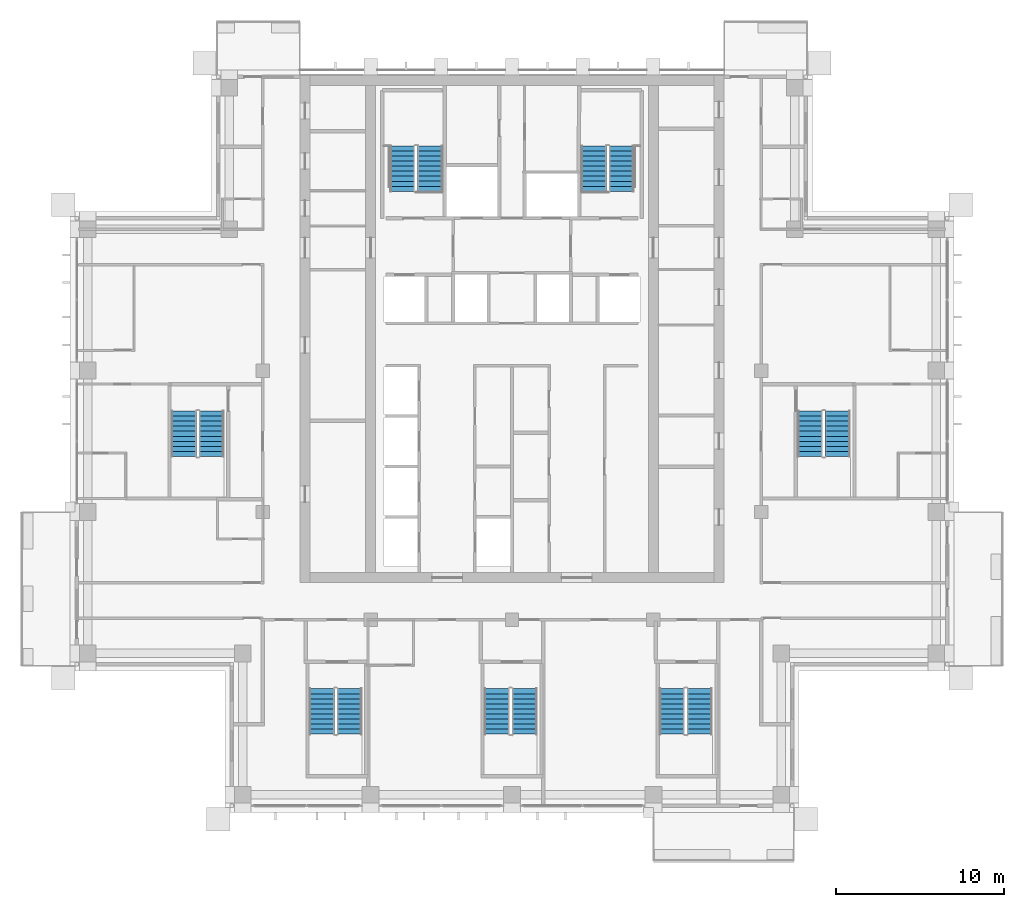
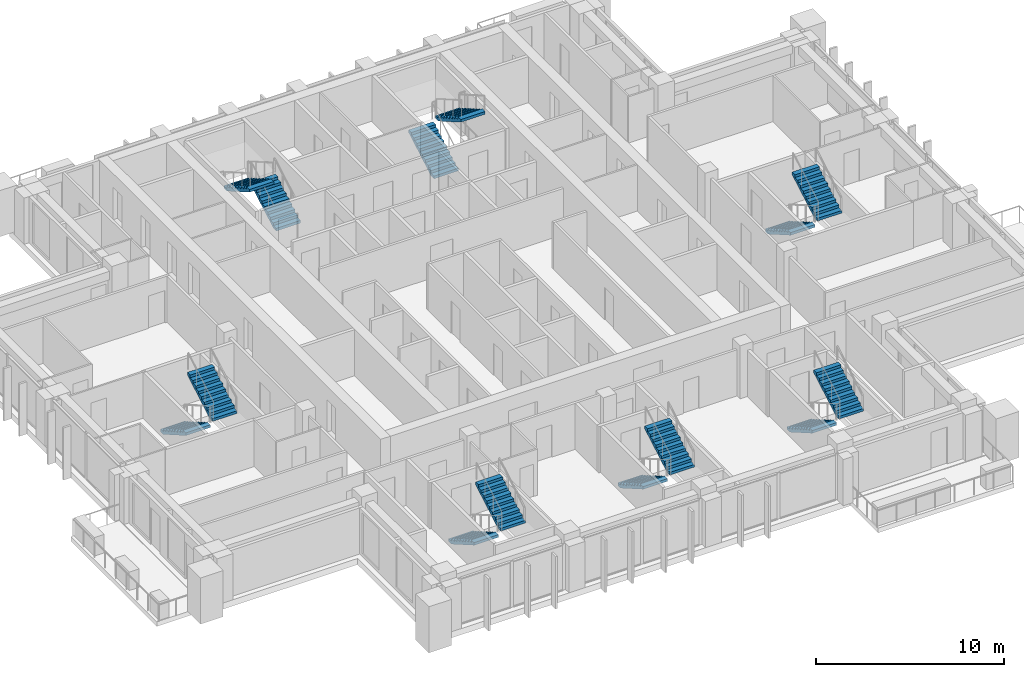
# One storey, part 15 of 19: 14 stair flights, 7 elements without a shape of their own.
"""IFC4 building model written with IfcOpenShell, lengths in metres."""

from ifc_helpers import new_model, si_unit, direction, frame, origin, place, context, subcontext, project, spatial, polyline, outline, extrude, material, type_object, element, aggregate, save


model = new_model("IFC4")

# Units and contexts
model_context = context("Model", 3, precision=1e-05, world=origin(), true_north=direction((0.0, 1.0)))
body_context = subcontext(model_context, "Body", "Model", "MODEL_VIEW")
ifc_project = project(units=[si_unit("LENGTHUNIT", "METRE"), si_unit("AREAUNIT", "SQUARE_METRE"), si_unit("VOLUMEUNIT", "CUBIC_METRE"), si_unit("PLANEANGLEUNIT", "RADIAN"), si_unit("MASSUNIT", "GRAM", prefix="KILO")], contexts=[model_context])

# Site, building, storey
site_placement = place(None, origin())
site = spatial("IfcSite", under=ifc_project, at=site_placement, CompositionType="ELEMENT")
building_placement = place(site_placement, origin())
building = spatial("IfcBuilding", under=site, at=building_placement, Name="Vermilion Ogive Tower", CompositionType="ELEMENT")
storey_placement = place(building_placement, frame((0.0, 0.0, 213.5)))
storey = spatial("IfcBuildingStorey", under=building, at=storey_placement, Name="L56", CompositionType="ELEMENT", Elevation=213.5)

# Stair, stair flights
ifc_material_1 = material(Name="Concrete B40", Category="concrete")
stair_type = type_object("IfcStairType", Name="Exit stair 1500", PredefinedType="HALF_TURN_STAIR", material=ifc_material_1)
stair_1_placement = place(storey_placement, origin())
stair_1 = element("IfcStair", 1, at=stair_1_placement, inside=storey, type_object=stair_type, Name="L56 Exit Stair ST1", PredefinedType="HALF_TURN_STAIR")
ifc_material_2 = material(Name="Concrete B40", Category="concrete")
stair_flight_type = type_object("IfcStairFlightType", Name="Stair flight 1500", PredefinedType="STRAIGHT", material=ifc_material_2)
stair_flight_1_placement = place(storey_placement, frame((-4.85009765625, 14.85009765625, 0.0), z_axis=(0.0, 0.0, 1.0), x_axis=(0.0, 1.0, 0.0)))
stair_flight_1 = element("IfcStairFlight", 2, at=stair_flight_1_placement, type_object=stair_flight_type, Name="ST1 flight 1", NumberOfRisers=10, NumberOfTreads=9, PredefinedType="STRAIGHT", RiserHeight=0.1725, TreadLength=0.3, context=body_context, shape_type="SweptSolid", body=[
    extrude(outline(polyline([(0.0, 0.0), (0.0, 0.172607421875), (0.300048828125, 0.172607421875), (0.300048828125, 0.344970703125), (0.60009765625, 0.344970703125), (0.60009765625, 0.517578125), (0.89990234375, 0.517578125), (0.89990234375, 0.68994140625), (1.199951171875, 0.68994140625), (1.199951171875, 0.862548828125), (1.5, 0.862548828125), (1.5, 1.034912109375), (1.800048828125, 1.034912109375), (1.800048828125, 1.20751953125), (2.10009765625, 1.20751953125), (2.10009765625, 1.3798828125), (2.39990234375, 1.3798828125), (2.39990234375, 1.552490234375), (2.699951171875, 1.552490234375), (2.699951171875, 1.72509765625), (2.699951171875, 1.379638671875), (0.30078125, 0.0), (0.0, 0.0)])), frame((0.0, 0.75, 0.0), z_axis=(0.0, -1.0, 0.0), x_axis=(1.0, 0.0, 0.0)), (0.0, 0.0, 1.0), 1.5),
])
stair_flight_2_placement = place(storey_placement, frame((-6.5, 17.550048828125, 1.72509765625), z_axis=(0.0, 0.0, 1.0), x_axis=(0.0, -1.0, 0.0)))
stair_flight_2 = element("IfcStairFlight", 3, at=stair_flight_2_placement, type_object=stair_flight_type, Name="ST1 flight 2", NumberOfRisers=10, NumberOfTreads=9, PredefinedType="STRAIGHT", RiserHeight=0.1725, TreadLength=0.3, context=body_context, shape_type="SweptSolid", body=[
    extrude(outline(polyline([(0.0, 0.0), (0.0, 0.172607421875), (0.300048828125, 0.172607421875), (0.300048828125, 0.344970703125), (0.60009765625, 0.344970703125), (0.60009765625, 0.517578125), (0.89990234375, 0.517578125), (0.89990234375, 0.68994140625), (1.199951171875, 0.68994140625), (1.199951171875, 0.862548828125), (1.5, 0.862548828125), (1.5, 1.034912109375), (1.800048828125, 1.034912109375), (1.800048828125, 1.20751953125), (2.10009765625, 1.20751953125), (2.10009765625, 1.3798828125), (2.39990234375, 1.3798828125), (2.39990234375, 1.552490234375), (2.699951171875, 1.552490234375), (2.699951171875, 1.72509765625), (2.699951171875, 1.379638671875), (0.30078125, 0.0), (0.0, 0.0)])), frame((0.0, 0.75, 0.0), z_axis=(0.0, -1.0, 0.0), x_axis=(1.0, 0.0, 0.0)), (0.0, 0.0, 1.0), 1.5),
])
aggregate(stair_1, [stair_flight_1, stair_flight_2])

stair_2_placement = place(storey_placement, origin())
stair_2 = element("IfcStair", 4, at=stair_2_placement, inside=storey, type_object=stair_type, Name="L56 Exit Stair ST2", PredefinedType="HALF_TURN_STAIR")
stair_flight_3_placement = place(storey_placement, frame((4.85009765625, 14.85009765625, 0.0), z_axis=(0.0, 0.0, 1.0), x_axis=(0.0, 1.0, 0.0)))
stair_flight_3 = element("IfcStairFlight", 5, at=stair_flight_3_placement, type_object=stair_flight_type, Name="ST2 flight 1", NumberOfRisers=10, NumberOfTreads=9, PredefinedType="STRAIGHT", RiserHeight=0.1725, TreadLength=0.3, context=body_context, shape_type="SweptSolid", body=[
    extrude(outline(polyline([(0.0, 0.0), (0.0, 0.172607421875), (0.300048828125, 0.172607421875), (0.300048828125, 0.344970703125), (0.60009765625, 0.344970703125), (0.60009765625, 0.517578125), (0.89990234375, 0.517578125), (0.89990234375, 0.68994140625), (1.199951171875, 0.68994140625), (1.199951171875, 0.862548828125), (1.5, 0.862548828125), (1.5, 1.034912109375), (1.800048828125, 1.034912109375), (1.800048828125, 1.20751953125), (2.10009765625, 1.20751953125), (2.10009765625, 1.3798828125), (2.39990234375, 1.3798828125), (2.39990234375, 1.552490234375), (2.699951171875, 1.552490234375), (2.699951171875, 1.72509765625), (2.699951171875, 1.379638671875), (0.30078125, 0.0), (0.0, 0.0)])), frame((0.0, 0.75, 0.0), z_axis=(0.0, -1.0, 0.0), x_axis=(1.0, 0.0, 0.0)), (0.0, 0.0, 1.0), 1.5),
])
stair_flight_4_placement = place(storey_placement, frame((6.5, 17.550048828125, 1.72509765625), z_axis=(0.0, 0.0, 1.0), x_axis=(0.0, -1.0, 0.0)))
stair_flight_4 = element("IfcStairFlight", 6, at=stair_flight_4_placement, type_object=stair_flight_type, Name="ST2 flight 2", NumberOfRisers=10, NumberOfTreads=9, PredefinedType="STRAIGHT", RiserHeight=0.1725, TreadLength=0.3, context=body_context, shape_type="SweptSolid", body=[
    extrude(outline(polyline([(0.0, 0.0), (0.0, 0.172607421875), (0.300048828125, 0.172607421875), (0.300048828125, 0.344970703125), (0.60009765625, 0.344970703125), (0.60009765625, 0.517578125), (0.89990234375, 0.517578125), (0.89990234375, 0.68994140625), (1.199951171875, 0.68994140625), (1.199951171875, 0.862548828125), (1.5, 0.862548828125), (1.5, 1.034912109375), (1.800048828125, 1.034912109375), (1.800048828125, 1.20751953125), (2.10009765625, 1.20751953125), (2.10009765625, 1.3798828125), (2.39990234375, 1.3798828125), (2.39990234375, 1.552490234375), (2.699951171875, 1.552490234375), (2.699951171875, 1.72509765625), (2.699951171875, 1.379638671875), (0.30078125, 0.0), (0.0, 0.0)])), frame((0.0, 0.75, 0.0), z_axis=(0.0, -1.0, 0.0), x_axis=(1.0, 0.0, 0.0)), (0.0, 0.0, 1.0), 1.5),
])
aggregate(stair_2, [stair_flight_3, stair_flight_4])

stair_3_placement = place(storey_placement, origin())
stair_3 = element("IfcStair", 7, at=stair_3_placement, inside=storey, type_object=stair_type, Name="L56 Exit Stair ST3", PredefinedType="HALF_TURN_STAIR")
stair_flight_5_placement = place(storey_placement, frame((-11.300048828125, -14.699951171875, 0.0), z_axis=(0.0, 0.0, 1.0), x_axis=(0.0, -1.0, 0.0)))
stair_flight_5 = element("IfcStairFlight", 8, at=stair_flight_5_placement, type_object=stair_flight_type, Name="ST3 flight 1", NumberOfRisers=10, NumberOfTreads=9, PredefinedType="STRAIGHT", RiserHeight=0.1725, TreadLength=0.3, context=body_context, shape_type="SweptSolid", body=[
    extrude(outline(polyline([(0.0, 0.0), (0.0, 0.172607421875), (0.300048828125, 0.172607421875), (0.300048828125, 0.344970703125), (0.60009765625, 0.344970703125), (0.60009765625, 0.517578125), (0.89990234375, 0.517578125), (0.89990234375, 0.68994140625), (1.199951171875, 0.68994140625), (1.199951171875, 0.862548828125), (1.5, 0.862548828125), (1.5, 1.034912109375), (1.800048828125, 1.034912109375), (1.800048828125, 1.20751953125), (2.10009765625, 1.20751953125), (2.10009765625, 1.3798828125), (2.39990234375, 1.3798828125), (2.39990234375, 1.552490234375), (2.699951171875, 1.552490234375), (2.699951171875, 1.72509765625), (2.699951171875, 1.379638671875), (0.30078125, 0.0), (0.0, 0.0)])), frame((0.0, 0.75, 0.0), z_axis=(0.0, -1.0, 0.0), x_axis=(1.0, 0.0, 0.0)), (0.0, 0.0, 1.0), 1.5),
])
stair_flight_6_placement = place(storey_placement, frame((-9.64990234375, -17.39990234375, 1.72509765625), z_axis=(0.0, 0.0, 1.0), x_axis=(0.0, 1.0, 0.0)))
stair_flight_6 = element("IfcStairFlight", 9, at=stair_flight_6_placement, type_object=stair_flight_type, Name="ST3 flight 2", NumberOfRisers=10, NumberOfTreads=9, PredefinedType="STRAIGHT", RiserHeight=0.1725, TreadLength=0.3, context=body_context, shape_type="SweptSolid", body=[
    extrude(outline(polyline([(0.0, 0.0), (0.0, 0.172607421875), (0.300048828125, 0.172607421875), (0.300048828125, 0.344970703125), (0.60009765625, 0.344970703125), (0.60009765625, 0.517578125), (0.89990234375, 0.517578125), (0.89990234375, 0.68994140625), (1.199951171875, 0.68994140625), (1.199951171875, 0.862548828125), (1.5, 0.862548828125), (1.5, 1.034912109375), (1.800048828125, 1.034912109375), (1.800048828125, 1.20751953125), (2.10009765625, 1.20751953125), (2.10009765625, 1.3798828125), (2.39990234375, 1.3798828125), (2.39990234375, 1.552490234375), (2.699951171875, 1.552490234375), (2.699951171875, 1.72509765625), (2.699951171875, 1.379638671875), (0.30078125, 0.0), (0.0, 0.0)])), frame((0.0, 0.75, 0.0), z_axis=(0.0, -1.0, 0.0), x_axis=(1.0, 0.0, 0.0)), (0.0, 0.0, 1.0), 1.5),
])
aggregate(stair_3, [stair_flight_5, stair_flight_6])

stair_4_placement = place(storey_placement, origin())
stair_4 = element("IfcStair", 10, at=stair_4_placement, inside=storey, type_object=stair_type, Name="L56 Exit Stair ST4", PredefinedType="HALF_TURN_STAIR")
stair_flight_7_placement = place(storey_placement, frame((-0.89990234375, -14.699951171875, 0.0), z_axis=(0.0, 0.0, 1.0), x_axis=(0.0, -1.0, 0.0)))
stair_flight_7 = element("IfcStairFlight", 11, at=stair_flight_7_placement, type_object=stair_flight_type, Name="ST4 flight 1", NumberOfRisers=10, NumberOfTreads=9, PredefinedType="STRAIGHT", RiserHeight=0.1725, TreadLength=0.3, context=body_context, shape_type="SweptSolid", body=[
    extrude(outline(polyline([(0.0, 0.0), (0.0, 0.172607421875), (0.300048828125, 0.172607421875), (0.300048828125, 0.344970703125), (0.60009765625, 0.344970703125), (0.60009765625, 0.517578125), (0.89990234375, 0.517578125), (0.89990234375, 0.68994140625), (1.199951171875, 0.68994140625), (1.199951171875, 0.862548828125), (1.5, 0.862548828125), (1.5, 1.034912109375), (1.800048828125, 1.034912109375), (1.800048828125, 1.20751953125), (2.10009765625, 1.20751953125), (2.10009765625, 1.3798828125), (2.39990234375, 1.3798828125), (2.39990234375, 1.552490234375), (2.699951171875, 1.552490234375), (2.699951171875, 1.72509765625), (2.699951171875, 1.379638671875), (0.30078125, 0.0), (0.0, 0.0)])), frame((0.0, 0.75, 0.0), z_axis=(0.0, -1.0, 0.0), x_axis=(1.0, 0.0, 0.0)), (0.0, 0.0, 1.0), 1.5),
])
stair_flight_8_placement = place(storey_placement, frame((0.75, -17.39990234375, 1.72509765625), z_axis=(0.0, 0.0, 1.0), x_axis=(0.0, 1.0, 0.0)))
stair_flight_8 = element("IfcStairFlight", 12, at=stair_flight_8_placement, type_object=stair_flight_type, Name="ST4 flight 2", NumberOfRisers=10, NumberOfTreads=9, PredefinedType="STRAIGHT", RiserHeight=0.1725, TreadLength=0.3, context=body_context, shape_type="SweptSolid", body=[
    extrude(outline(polyline([(0.0, 0.0), (0.0, 0.172607421875), (0.300048828125, 0.172607421875), (0.300048828125, 0.344970703125), (0.60009765625, 0.344970703125), (0.60009765625, 0.517578125), (0.89990234375, 0.517578125), (0.89990234375, 0.68994140625), (1.199951171875, 0.68994140625), (1.199951171875, 0.862548828125), (1.5, 0.862548828125), (1.5, 1.034912109375), (1.800048828125, 1.034912109375), (1.800048828125, 1.20751953125), (2.10009765625, 1.20751953125), (2.10009765625, 1.3798828125), (2.39990234375, 1.3798828125), (2.39990234375, 1.552490234375), (2.699951171875, 1.552490234375), (2.699951171875, 1.72509765625), (2.699951171875, 1.379638671875), (0.30078125, 0.0), (0.0, 0.0)])), frame((0.0, 0.75, 0.0), z_axis=(0.0, -1.0, 0.0), x_axis=(1.0, 0.0, 0.0)), (0.0, 0.0, 1.0), 1.5),
])
aggregate(stair_4, [stair_flight_7, stair_flight_8])

stair_5_placement = place(storey_placement, origin())
stair_5 = element("IfcStair", 13, at=stair_5_placement, inside=storey, type_object=stair_type, Name="L56 Exit Stair ST5", PredefinedType="HALF_TURN_STAIR")
stair_flight_9_placement = place(storey_placement, frame((9.5, -14.699951171875, 0.0), z_axis=(0.0, 0.0, 1.0), x_axis=(0.0, -1.0, 0.0)))
stair_flight_9 = element("IfcStairFlight", 14, at=stair_flight_9_placement, type_object=stair_flight_type, Name="ST5 flight 1", NumberOfRisers=10, NumberOfTreads=9, PredefinedType="STRAIGHT", RiserHeight=0.1725, TreadLength=0.3, context=body_context, shape_type="SweptSolid", body=[
    extrude(outline(polyline([(0.0, 0.0), (0.0, 0.172607421875), (0.300048828125, 0.172607421875), (0.300048828125, 0.344970703125), (0.60009765625, 0.344970703125), (0.60009765625, 0.517578125), (0.89990234375, 0.517578125), (0.89990234375, 0.68994140625), (1.199951171875, 0.68994140625), (1.199951171875, 0.862548828125), (1.5, 0.862548828125), (1.5, 1.034912109375), (1.800048828125, 1.034912109375), (1.800048828125, 1.20751953125), (2.10009765625, 1.20751953125), (2.10009765625, 1.3798828125), (2.39990234375, 1.3798828125), (2.39990234375, 1.552490234375), (2.699951171875, 1.552490234375), (2.699951171875, 1.72509765625), (2.699951171875, 1.379638671875), (0.30078125, 0.0), (0.0, 0.0)])), frame((0.0, 0.75, 0.0), z_axis=(0.0, -1.0, 0.0), x_axis=(1.0, 0.0, 0.0)), (0.0, 0.0, 1.0), 1.5),
])
stair_flight_10_placement = place(storey_placement, frame((11.14990234375, -17.39990234375, 1.72509765625), z_axis=(0.0, 0.0, 1.0), x_axis=(0.0, 1.0, 0.0)))
stair_flight_10 = element("IfcStairFlight", 15, at=stair_flight_10_placement, type_object=stair_flight_type, Name="ST5 flight 2", NumberOfRisers=10, NumberOfTreads=9, PredefinedType="STRAIGHT", RiserHeight=0.1725, TreadLength=0.3, context=body_context, shape_type="SweptSolid", body=[
    extrude(outline(polyline([(0.0, 0.0), (0.0, 0.172607421875), (0.300048828125, 0.172607421875), (0.300048828125, 0.344970703125), (0.60009765625, 0.344970703125), (0.60009765625, 0.517578125), (0.89990234375, 0.517578125), (0.89990234375, 0.68994140625), (1.199951171875, 0.68994140625), (1.199951171875, 0.862548828125), (1.5, 0.862548828125), (1.5, 1.034912109375), (1.800048828125, 1.034912109375), (1.800048828125, 1.20751953125), (2.10009765625, 1.20751953125), (2.10009765625, 1.3798828125), (2.39990234375, 1.3798828125), (2.39990234375, 1.552490234375), (2.699951171875, 1.552490234375), (2.699951171875, 1.72509765625), (2.699951171875, 1.379638671875), (0.30078125, 0.0), (0.0, 0.0)])), frame((0.0, 0.75, 0.0), z_axis=(0.0, -1.0, 0.0), x_axis=(1.0, 0.0, 0.0)), (0.0, 0.0, 1.0), 1.5),
])
aggregate(stair_5, [stair_flight_9, stair_flight_10])

stair_6_placement = place(storey_placement, origin())
stair_6 = element("IfcStair", 16, at=stair_6_placement, inside=storey, type_object=stair_type, Name="L56 Exit Stair ST8", PredefinedType="HALF_TURN_STAIR")
stair_flight_11_placement = place(storey_placement, frame((17.699951171875, 1.800048828125, 0.0), z_axis=(0.0, 0.0, 1.0), x_axis=(0.0, -1.0, 0.0)))
stair_flight_11 = element("IfcStairFlight", 17, at=stair_flight_11_placement, type_object=stair_flight_type, Name="ST8 flight 1", NumberOfRisers=10, NumberOfTreads=9, PredefinedType="STRAIGHT", RiserHeight=0.1725, TreadLength=0.3, context=body_context, shape_type="SweptSolid", body=[
    extrude(outline(polyline([(0.0, 0.0), (0.0, 0.172607421875), (0.300048828125, 0.172607421875), (0.300048828125, 0.344970703125), (0.60009765625, 0.344970703125), (0.60009765625, 0.517578125), (0.89990234375, 0.517578125), (0.89990234375, 0.68994140625), (1.199951171875, 0.68994140625), (1.199951171875, 0.862548828125), (1.5, 0.862548828125), (1.5, 1.034912109375), (1.800048828125, 1.034912109375), (1.800048828125, 1.20751953125), (2.10009765625, 1.20751953125), (2.10009765625, 1.3798828125), (2.39990234375, 1.3798828125), (2.39990234375, 1.552490234375), (2.699951171875, 1.552490234375), (2.699951171875, 1.72509765625), (2.699951171875, 1.379638671875), (0.30078125, 0.0), (0.0, 0.0)])), frame((0.0, 0.75, 0.0), z_axis=(0.0, -1.0, 0.0), x_axis=(1.0, 0.0, 0.0)), (0.0, 0.0, 1.0), 1.5),
])
stair_flight_12_placement = place(storey_placement, frame((19.35009765625, -0.89990234375, 1.72509765625), z_axis=(0.0, 0.0, 1.0), x_axis=(0.0, 1.0, 0.0)))
stair_flight_12 = element("IfcStairFlight", 18, at=stair_flight_12_placement, type_object=stair_flight_type, Name="ST8 flight 2", NumberOfRisers=10, NumberOfTreads=9, PredefinedType="STRAIGHT", RiserHeight=0.1725, TreadLength=0.3, context=body_context, shape_type="SweptSolid", body=[
    extrude(outline(polyline([(0.0, 0.0), (0.0, 0.172607421875), (0.300048828125, 0.172607421875), (0.300048828125, 0.344970703125), (0.60009765625, 0.344970703125), (0.60009765625, 0.517578125), (0.89990234375, 0.517578125), (0.89990234375, 0.68994140625), (1.199951171875, 0.68994140625), (1.199951171875, 0.862548828125), (1.5, 0.862548828125), (1.5, 1.034912109375), (1.800048828125, 1.034912109375), (1.800048828125, 1.20751953125), (2.10009765625, 1.20751953125), (2.10009765625, 1.3798828125), (2.39990234375, 1.3798828125), (2.39990234375, 1.552490234375), (2.699951171875, 1.552490234375), (2.699951171875, 1.72509765625), (2.699951171875, 1.379638671875), (0.30078125, 0.0), (0.0, 0.0)])), frame((0.0, 0.75, 0.0), z_axis=(0.0, -1.0, 0.0), x_axis=(1.0, 0.0, 0.0)), (0.0, 0.0, 1.0), 1.5),
])
aggregate(stair_6, [stair_flight_11, stair_flight_12])

stair_7_placement = place(storey_placement, origin())
stair_7 = element("IfcStair", 19, at=stair_7_placement, inside=storey, type_object=stair_type, Name="L56 Exit Stair ST9", PredefinedType="HALF_TURN_STAIR")
stair_flight_13_placement = place(storey_placement, frame((-19.5, 1.800048828125, 0.0), z_axis=(0.0, 0.0, 1.0), x_axis=(0.0, -1.0, 0.0)))
stair_flight_13 = element("IfcStairFlight", 20, at=stair_flight_13_placement, type_object=stair_flight_type, Name="ST9 flight 1", NumberOfRisers=10, NumberOfTreads=9, PredefinedType="STRAIGHT", RiserHeight=0.1725, TreadLength=0.3, context=body_context, shape_type="SweptSolid", body=[
    extrude(outline(polyline([(0.0, 0.0), (0.0, 0.172607421875), (0.300048828125, 0.172607421875), (0.300048828125, 0.344970703125), (0.60009765625, 0.344970703125), (0.60009765625, 0.517578125), (0.89990234375, 0.517578125), (0.89990234375, 0.68994140625), (1.199951171875, 0.68994140625), (1.199951171875, 0.862548828125), (1.5, 0.862548828125), (1.5, 1.034912109375), (1.800048828125, 1.034912109375), (1.800048828125, 1.20751953125), (2.10009765625, 1.20751953125), (2.10009765625, 1.3798828125), (2.39990234375, 1.3798828125), (2.39990234375, 1.552490234375), (2.699951171875, 1.552490234375), (2.699951171875, 1.72509765625), (2.699951171875, 1.379638671875), (0.30078125, 0.0), (0.0, 0.0)])), frame((0.0, 0.75, 0.0), z_axis=(0.0, -1.0, 0.0), x_axis=(1.0, 0.0, 0.0)), (0.0, 0.0, 1.0), 1.5),
])
stair_flight_14_placement = place(storey_placement, frame((-17.85009765625, -0.89990234375, 1.72509765625), z_axis=(0.0, 0.0, 1.0), x_axis=(0.0, 1.0, 0.0)))
stair_flight_14 = element("IfcStairFlight", 21, at=stair_flight_14_placement, type_object=stair_flight_type, Name="ST9 flight 2", NumberOfRisers=10, NumberOfTreads=9, PredefinedType="STRAIGHT", RiserHeight=0.1725, TreadLength=0.3, context=body_context, shape_type="SweptSolid", body=[
    extrude(outline(polyline([(0.0, 0.0), (0.0, 0.172607421875), (0.300048828125, 0.172607421875), (0.300048828125, 0.344970703125), (0.60009765625, 0.344970703125), (0.60009765625, 0.517578125), (0.89990234375, 0.517578125), (0.89990234375, 0.68994140625), (1.199951171875, 0.68994140625), (1.199951171875, 0.862548828125), (1.5, 0.862548828125), (1.5, 1.034912109375), (1.800048828125, 1.034912109375), (1.800048828125, 1.20751953125), (2.10009765625, 1.20751953125), (2.10009765625, 1.3798828125), (2.39990234375, 1.3798828125), (2.39990234375, 1.552490234375), (2.699951171875, 1.552490234375), (2.699951171875, 1.72509765625), (2.699951171875, 1.379638671875), (0.30078125, 0.0), (0.0, 0.0)])), frame((0.0, 0.75, 0.0), z_axis=(0.0, -1.0, 0.0), x_axis=(1.0, 0.0, 0.0)), (0.0, 0.0, 1.0), 1.5),
])
aggregate(stair_7, [stair_flight_13, stair_flight_14])

save(model, "model.ifc")
